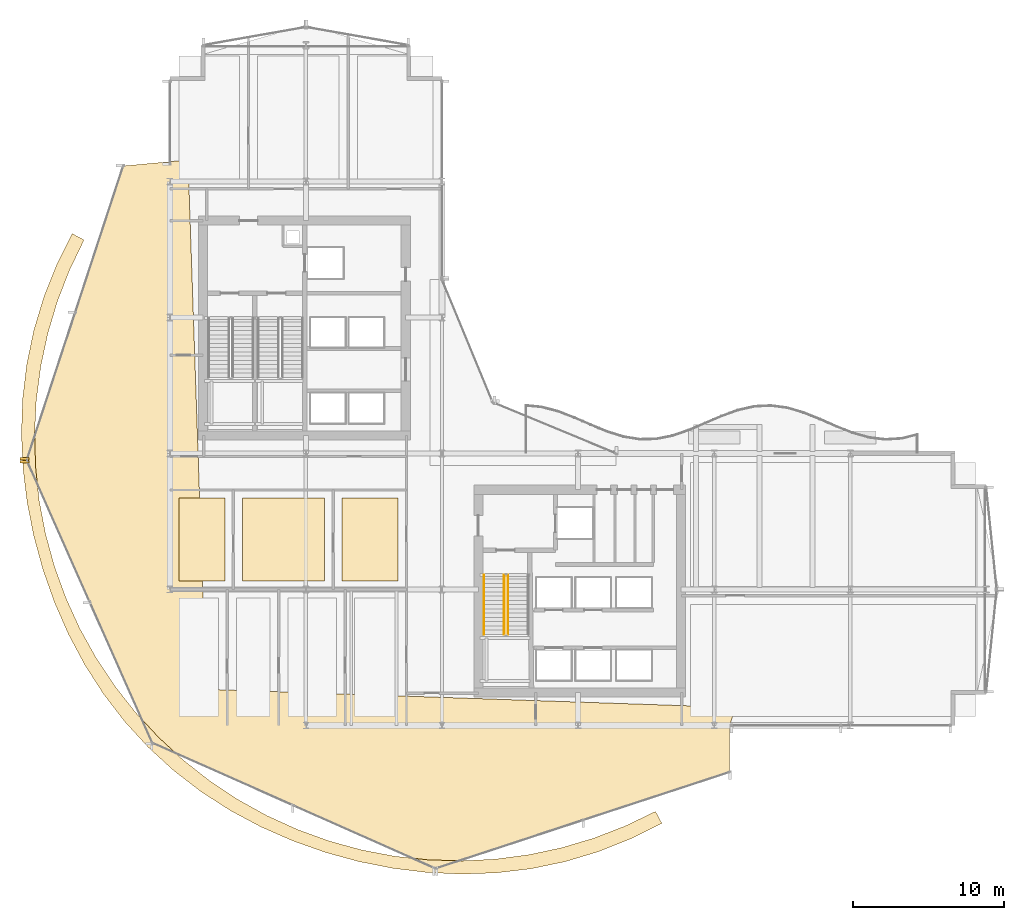
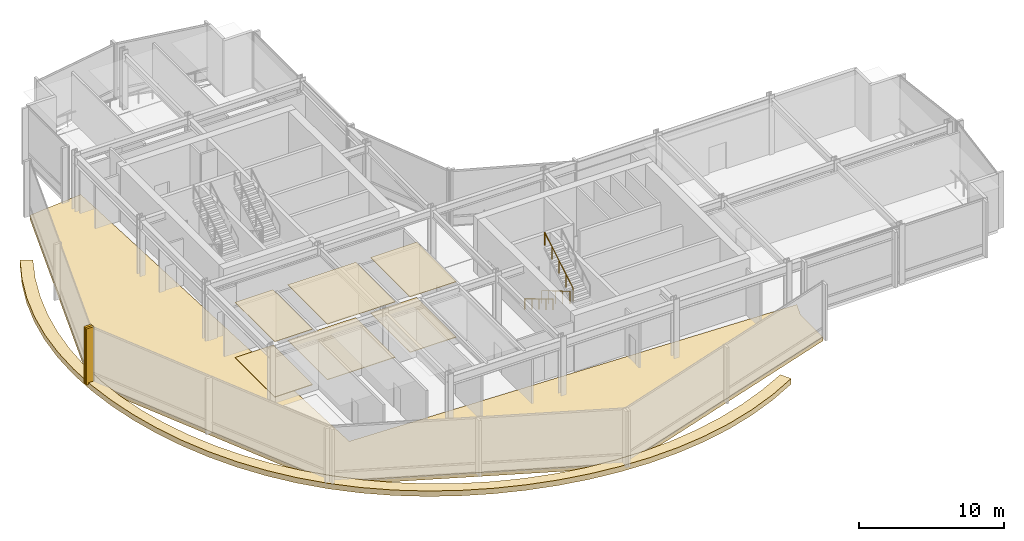
# One storey, part 33 of 39: 10 coverings, 3 railings.
"""IFC4 building model written with IfcOpenShell, lengths in metres."""

from ifc_helpers import new_model, si_unit, direction, frame, origin, origin_2d, place, context, subcontext, project, spatial, polyline, rectangle, circle, outline, extrude, material, layer, layer_set, type_object, element, save


model = new_model("IFC4")

# Units and contexts
model_context = context("Model", 3, precision=1e-05, world=origin(), true_north=direction((0.0, 1.0)))
body_context = subcontext(model_context, "Body", "Model", "MODEL_VIEW")
ifc_project = project(units=[si_unit("LENGTHUNIT", "METRE"), si_unit("AREAUNIT", "SQUARE_METRE"), si_unit("VOLUMEUNIT", "CUBIC_METRE"), si_unit("PLANEANGLEUNIT", "RADIAN"), si_unit("MASSUNIT", "GRAM", prefix="KILO")], contexts=[model_context])

# Site, building, storey
site_placement = place(None, origin())
site = spatial("IfcSite", under=ifc_project, at=site_placement, CompositionType="ELEMENT")
building_placement = place(site_placement, origin())
building = spatial("IfcBuilding", under=site, at=building_placement, Name="Solvaryn Broadcast Tower", CompositionType="ELEMENT")
storey_placement = place(building_placement, frame((0.0, 0.0, 84.10009765625)))
storey = spatial("IfcBuildingStorey", under=building, at=storey_placement, Name="L20", CompositionType="ELEMENT", Elevation=84.10009765625)

# Coverings
ifc_material_1 = material(Name="Micro-Perforated Acoustic Gypsum Ceiling", Category="concrete")
ifc_layer_1 = layer(ifc_material_1, 0.0400390625)
ifc_layer_set_1 = layer_set([ifc_layer_1], Name="CV-CEIL-ACOUSTIC")
covering_type_1 = type_object("IfcCoveringType", Name="CV-CEIL-ACOUSTIC", PredefinedType="CEILING", material=ifc_layer_set_1)
covering_1_placement = place(storey_placement, frame((0.0, 0.0, 4.679931640625)))
element("IfcCovering", 1, at=covering_1_placement, inside=storey, type_object=covering_type_1, Name="L20 Room Acoustic Ceiling 1", PredefinedType="CEILING", context=body_context, shape_type="SweptSolid", body=[
    extrude(outline(polyline([(9.60009765625, 18.570068359375), (12.6298828125, 18.570068359375), (12.6298828125, 24.050048828125), (9.60009765625, 24.050048828125), (9.60009765625, 18.570068359375)])), origin(), (0.0, 0.0, 1.0), 0.0400390625),
])
covering_2_placement = place(storey_placement, frame((0.0, 0.0, 4.679931640625)))
element("IfcCovering", 2, at=covering_2_placement, inside=storey, type_object=covering_type_1, Name="L20 Room Acoustic Ceiling 2", PredefinedType="CEILING", context=body_context, shape_type="SweptSolid", body=[
    extrude(outline(polyline([(13.800048828125, 18.570068359375), (19.22998046875, 18.570068359375), (19.22998046875, 24.050048828125), (13.800048828125, 24.050048828125), (13.800048828125, 18.570068359375)])), origin(), (0.0, 0.0, 1.0), 0.0400390625),
])
covering_3_placement = place(storey_placement, frame((0.0, 0.0, 4.679931640625)))
element("IfcCovering", 3, at=covering_3_placement, inside=storey, type_object=covering_type_1, Name="L20 Room Acoustic Ceiling 3", PredefinedType="CEILING", context=body_context, shape_type="SweptSolid", body=[
    extrude(outline(polyline([(20.39990234375, 18.570068359375), (24.080078125, 18.570068359375), (24.080078125, 24.050048828125), (20.39990234375, 24.050048828125), (20.39990234375, 18.570068359375)])), origin(), (0.0, 0.0, 1.0), 0.0400390625),
])
ifc_material_2 = material(Name="Newsroom Raised Data Access Flooring", Category="steel")
ifc_layer_2 = layer(ifc_material_2, 0.050048828125)
ifc_layer_set_2 = layer_set([ifc_layer_2], Name="CV-FLOOR-RAISED")
covering_type_2 = type_object("IfcCoveringType", Name="CV-FLOOR-RAISED", PredefinedType="FLOORING", material=ifc_layer_set_2)
covering_4_placement = place(storey_placement, origin())
element("IfcCovering", 4, at=covering_4_placement, inside=storey, type_object=covering_type_2, Name="L20 Room Acoustic Floor Finish 1", PredefinedType="FLOORING", context=body_context, shape_type="SweptSolid", body=[
    extrude(outline(polyline([(9.60009765625, 18.570068359375), (12.6298828125, 18.570068359375), (12.6298828125, 24.050048828125), (9.60009765625, 24.050048828125), (9.60009765625, 18.570068359375)])), origin(), (0.0, 0.0, 1.0), 0.0498046875),
])
covering_5_placement = place(storey_placement, origin())
element("IfcCovering", 5, at=covering_5_placement, inside=storey, type_object=covering_type_2, Name="L20 Room Acoustic Floor Finish 2", PredefinedType="FLOORING", context=body_context, shape_type="SweptSolid", body=[
    extrude(outline(polyline([(13.800048828125, 18.570068359375), (19.22998046875, 18.570068359375), (19.22998046875, 24.050048828125), (13.800048828125, 24.050048828125), (13.800048828125, 18.570068359375)])), origin(), (0.0, 0.0, 1.0), 0.0498046875),
])
covering_6_placement = place(storey_placement, origin())
element("IfcCovering", 6, at=covering_6_placement, inside=storey, type_object=covering_type_2, Name="L20 Room Acoustic Floor Finish 3", PredefinedType="FLOORING", context=body_context, shape_type="SweptSolid", body=[
    extrude(outline(polyline([(20.39990234375, 18.570068359375), (24.080078125, 18.570068359375), (24.080078125, 24.050048828125), (20.39990234375, 24.050048828125), (20.39990234375, 18.570068359375)])), origin(), (0.0, 0.0, 1.0), 0.0498046875),
])
ifc_material_3 = material(Name="Extruded Architectural Terracotta Fin", Category="masonry")
ifc_layer_3 = layer(ifc_material_3, 0.179931640625)
ifc_layer_set_3 = layer_set([ifc_layer_3], Name="CV-TC-FIN")
covering_type_3 = type_object("IfcCoveringType", Name="CV-TC-FIN", PredefinedType="USERDEFINED", material=ifc_layer_set_3)
for number, where, z_axis, x_axis, name in (
    (7, (-0.625732421875, 26.644775390625, 0.0), (0.0, 0.0, 1.0), (1.0, 0.0, 0.0), "L20 Terracotta Vertical Fin FIN-L20-DR1-M02"),
    (8, (-0.6162109375, 26.459716796875, 0.0), (0.0, 0.0, 1.0), (1.0, 0.0, 0.0), "L20 Terracotta Vertical Fin FIN-L20-DR2-M00"),
):
    element("IfcCovering", number, at=place(storey_placement, frame(where, z_axis=z_axis, x_axis=x_axis)), inside=storey, type_object=covering_type_3, Name=name, ObjectType="FIN", PredefinedType="USERDEFINED", context=body_context, shape_type="SweptSolid", body=[
        extrude(rectangle(XDim=0.580078125, YDim=0.179931640625, at=origin_2d()), origin(), (0.0, 0.0, 1.0), 4.719970703125),
    ])
ifc_material_4 = material(Name="Sculpted Architectural Terracotta Wave Fascia", Category="masonry")
ifc_layer_4 = layer(ifc_material_4, 0.340087890625)
ifc_layer_set_4 = layer_set([ifc_layer_4], Name="CV-WAVE-TRAY")
covering_type_4 = type_object("IfcCoveringType", Name="CV-WAVE-TRAY", PredefinedType="CLADDING", material=ifc_layer_set_4)
covering_7_placement = place(storey_placement, frame((0.0, 0.0, -0.300048828125)))
element("IfcCovering", 9, at=covering_7_placement, inside=storey, type_object=covering_type_4, Name="L20 Stepped Cylindrical Drum Floor Apron", PredefinedType="CLADDING", context=body_context, shape_type="SweptSolid", body=[
    extrude(outline(polyline([(10.199951171875, 46.416015625), (5.916015625, 46.01611328125), (-0.464111328125, 26.56005859375), (7.846923828125, 7.846923828125), (26.56005859375, -0.464111328125), (46.01611328125, 5.916015625), (46.01611328125, 9.0), (46.416015625, 10.199951171875), (11.39990234375, 11.39990234375), (10.199951171875, 46.416015625)])), origin(), (0.0, 0.0, 1.0), 0.329833984375),
])
covering_8_placement = place(storey_placement, frame((0.0, 0.0, -0.320068359375)))
element("IfcCovering", 10, at=covering_8_placement, inside=storey, type_object=covering_type_4, Name="L20 Stepped Cylindrical Drum Wave Ring Terrace", PredefinedType="CLADDING", context=body_context, shape_type="SweptSolid", body=[
    extrude(outline(polyline([(2.5390625, 41.5380859375), (1.510986328125, 39.48291015625), (0.659912109375, 37.346923828125), (-0.0029296875, 35.14404296875), (-0.470947265625, 32.89208984375), (-0.742919921875, 30.610107421875), (-0.823974609375, 28.31396484375), (-0.719970703125, 26.02294921875), (-0.44189453125, 23.7490234375), (0.001953125, 21.50390625), (0.60595703125, 19.297119140625), (1.367919921875, 17.138916015625), (2.2880859375, 15.0400390625), (3.367919921875, 13.01611328125), (4.610107421875, 11.083984375), (6.010986328125, 9.260986328125), (7.56494140625, 7.56494140625), (9.260986328125, 6.010986328125), (11.083984375, 4.610107421875), (13.01611328125, 3.367919921875), (15.0400390625, 2.2880859375), (17.138916015625, 1.367919921875), (19.297119140625, 0.60595703125), (21.50390625, 0.001953125), (23.7490234375, -0.44189453125), (26.02294921875, -0.719970703125), (28.31396484375, -0.823974609375), (30.610107421875, -0.742919921875), (32.89208984375, -0.470947265625), (35.14404296875, -0.0029296875), (37.346923828125, 0.659912109375), (39.48291015625, 1.510986328125), (41.5380859375, 2.5390625), (41.1220703125, 3.322021484375), (39.116943359375, 2.35595703125), (37.0419921875, 1.552978515625), (34.909912109375, 0.91796875), (32.73291015625, 0.4541015625), (30.527099609375, 0.1640625), (28.304931640625, 0.052001953125), (26.0810546875, 0.115966796875), (23.868896484375, 0.35693359375), (21.68310546875, 0.77294921875), (19.537109375, 1.362060546875), (17.445068359375, 2.1201171875), (15.419921875, 3.041015625), (13.47412109375, 4.12109375), (11.62109375, 5.35205078125), (9.87109375, 6.72705078125), (8.236083984375, 8.236083984375), (6.72705078125, 9.87109375), (5.35205078125, 11.62109375), (4.12109375, 13.47412109375), (3.041015625, 15.419921875), (2.1201171875, 17.445068359375), (1.362060546875, 19.537109375), (0.77294921875, 21.68310546875), (0.35693359375, 23.868896484375), (0.115966796875, 26.0810546875), (0.052001953125, 28.304931640625), (0.1640625, 30.527099609375), (0.4541015625, 32.73291015625), (0.91796875, 34.909912109375), (1.552978515625, 37.0419921875), (2.35595703125, 39.116943359375), (3.322021484375, 41.1220703125), (2.5390625, 41.5380859375)])), origin(), (0.0, 0.0, 1.0), 0.4599609375),
])

# Railings
ifc_material_5 = material(Name="Painted Steel Stair Well Guard", Category="steel")
railing_type_1 = type_object("IfcRailingType", Name="RL-STAIR-GUARD", PredefinedType="BALUSTRADE", material=ifc_material_5)
railing_1_placement = place(storey_placement, frame((31.110107421875, 18.9599609375, 0.16650390625)))
element("IfcRailing", 11, at=railing_1_placement, inside=storey, type_object=railing_type_1, Name="L20 ST3 stair guard 1", PredefinedType="BALUSTRADE", context=body_context, shape_type="SweptSolid", body=[
    extrude(circle(Radius=0.02392578125, at=origin_2d()), frame((0.0, 0.0, 1.076171875), z_axis=(0.0, -0.859272722373, 0.511517730471), x_axis=(1.0, 0.0, 0.0)), (0.0, 0.0, 1.0), 4.56201171875),
    extrude(circle(Radius=0.02099609375, at=origin_2d()), origin(), (0.0, 0.0, 1.0), 1.052001953125),
    extrude(circle(Radius=0.02099609375, at=origin_2d()), frame((0.0, -0.97998046875, 0.58349609375)), (0.0, 0.0, 1.0), 1.052001953125),
    extrude(circle(Radius=0.02099609375, at=origin_2d()), frame((0.0, -1.9599609375, 1.166748046875)), (0.0, 0.0, 1.0), 1.052001953125),
    extrude(circle(Radius=0.02099609375, at=origin_2d()), frame((0.0, -2.93994140625, 1.75)), (0.0, 0.0, 1.0), 1.052001953125),
    extrude(circle(Radius=0.02099609375, at=origin_2d()), frame((0.0, -3.919921875, 2.33349609375)), (0.0, 0.0, 1.0), 1.052001953125),
])
railing_2_placement = place(storey_placement, frame((31.360107421875, 15.0400390625, 2.66650390625)))
element("IfcRailing", 12, at=railing_2_placement, inside=storey, type_object=railing_type_1, Name="L20 ST3 stair guard 3", PredefinedType="BALUSTRADE", context=body_context, shape_type="SweptSolid", body=[
    extrude(circle(Radius=0.02392578125, at=origin_2d()), frame((0.0, 0.0, 1.076171875), z_axis=(0.0, 0.859272722373, 0.511517730471), x_axis=(-1.0, 0.0, 0.0)), (0.0, 0.0, 1.0), 4.56201171875),
    extrude(circle(Radius=0.02099609375, at=origin_2d()), origin(), (0.0, 0.0, 1.0), 1.052001953125),
    extrude(circle(Radius=0.02099609375, at=origin_2d()), frame((0.0, 0.97998046875, 0.58349609375)), (0.0, 0.0, 1.0), 1.052001953125),
    extrude(circle(Radius=0.02099609375, at=origin_2d()), frame((0.0, 1.9599609375, 1.166748046875)), (0.0, 0.0, 1.0), 1.052001953125),
    extrude(circle(Radius=0.02099609375, at=origin_2d()), frame((0.0, 2.93994140625, 1.75)), (0.0, 0.0, 1.0), 1.052001953125),
    extrude(circle(Radius=0.02099609375, at=origin_2d()), frame((0.0, 3.919921875, 2.33349609375)), (0.0, 0.0, 1.0), 1.052001953125),
])
ifc_material_6 = material(Name="Brushed Stainless Steel Tubular Handrail", Category="steel")
railing_type_2 = type_object("IfcRailingType", Name="RL-STAIR-HANDRAIL", PredefinedType="HANDRAIL", material=ifc_material_6)
railing_3_placement = place(storey_placement, frame((29.77001953125, 18.9599609375, 0.16650390625)))
element("IfcRailing", 13, at=railing_3_placement, inside=storey, type_object=railing_type_2, Name="L20 ST3 stair handrail 1", PredefinedType="HANDRAIL", context=body_context, shape_type="SweptSolid", body=[
    extrude(circle(Radius=0.02392578125, at=origin_2d()), frame((0.0, 0.0, 0.8759765625), z_axis=(0.0, -0.859272722373, 0.511517730471), x_axis=(1.0, 0.0, 0.0)), (0.0, 0.0, 1.0), 4.56201171875),
    extrude(circle(Radius=0.02099609375, at=origin_2d()), origin(), (0.0, 0.0, 1.0), 0.851806640625),
    extrude(circle(Radius=0.02099609375, at=origin_2d()), frame((0.0, -0.97998046875, 0.58349609375)), (0.0, 0.0, 1.0), 0.851806640625),
    extrude(circle(Radius=0.02099609375, at=origin_2d()), frame((0.0, -1.9599609375, 1.166748046875)), (0.0, 0.0, 1.0), 0.851806640625),
    extrude(circle(Radius=0.02099609375, at=origin_2d()), frame((0.0, -2.93994140625, 1.75)), (0.0, 0.0, 1.0), 0.851806640625),
    extrude(circle(Radius=0.02099609375, at=origin_2d()), frame((0.0, -3.919921875, 2.33349609375)), (0.0, 0.0, 1.0), 0.851806640625),
])

save(model, "model.ifc")
